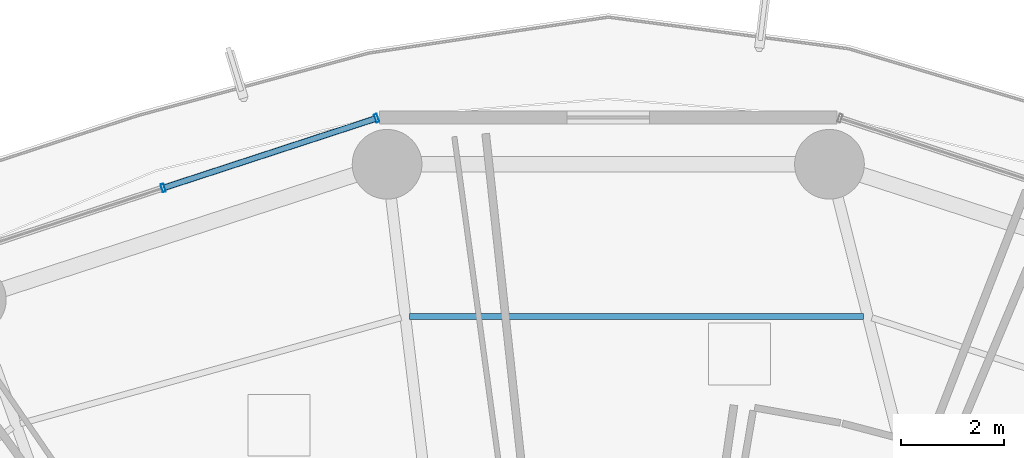
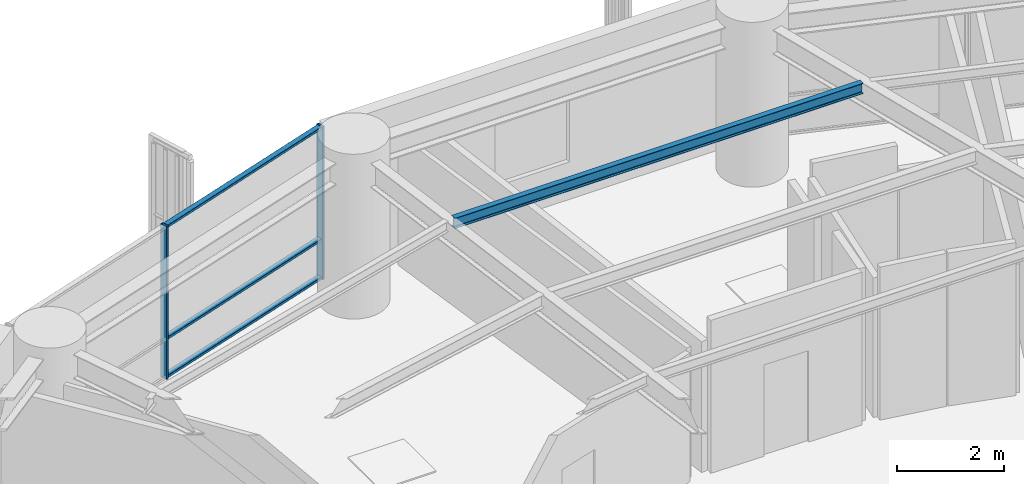
# One storey, part 22 of 37: 5 members, 1 beam, 1 element without a shape of its own.
"""IFC4 building model written with IfcOpenShell, lengths in metres."""

from ifc_helpers import new_model, si_unit, direction, frame, origin, origin_2d, place, context, subcontext, project, spatial, hollow_rectangle, i_section, extrude, material, layer, layer_set, material_profile, profile_set, type_object, element, aggregate, save


model = new_model("IFC4")

# Units and contexts
model_context = context("Model", 3, precision=1e-05, world=origin(), true_north=direction((0.0, 1.0)))
body_context = subcontext(model_context, "Body", "Model", "MODEL_VIEW")
ifc_project = project(units=[si_unit("LENGTHUNIT", "METRE"), si_unit("AREAUNIT", "SQUARE_METRE"), si_unit("VOLUMEUNIT", "CUBIC_METRE"), si_unit("PLANEANGLEUNIT", "RADIAN"), si_unit("MASSUNIT", "GRAM", prefix="KILO")], contexts=[model_context])

# Site, building, storey
site_placement = place(None, origin())
site = spatial("IfcSite", under=ifc_project, at=site_placement, CompositionType="ELEMENT")
building_placement = place(site_placement, origin())
building = spatial("IfcBuilding", under=site, at=building_placement, Name="Kelanora Arch Commons", CompositionType="ELEMENT")
storey_placement = place(building_placement, frame((0.0, 0.0, 113.85009765625)))
storey = spatial("IfcBuildingStorey", under=building, at=storey_placement, Name="L29", CompositionType="ELEMENT", Elevation=113.85009765625)

# Beam
ifc_material_1 = material(Name="Steel S355", Category="steel")
ifc_material_profile_1 = material_profile(ifc_material_1, i_section(OverallWidth=0.1201171875, OverallDepth=0.239990234375, WebThickness=0.006103515625, FlangeThickness=0.009765625, FilletRadius=0.014892578125, at=origin_2d()), Name="IPE240")
ifc_profile_set_1 = profile_set([ifc_material_profile_1], Name="Steel S355")
beam_type = type_object("IfcBeamType", Name="BM-JST-02", PredefinedType="JOIST", material=ifc_profile_set_1)
beam_placement = place(storey_placement, frame((78.943603515625, 76.795654296875, 3.369873046875), z_axis=(-1.0, 0.0, 0.0), x_axis=(0.0, -1.0, 0.0)))
element("IfcBeam", 1, at=beam_placement, inside=storey, type_object=beam_type, Name="Secondary Chord Joist BJC-08 L29", PredefinedType="JOIST", context=body_context, shape_type="SweptSolid", body=[
    extrude(i_section(OverallWidth=0.1201171875, OverallDepth=0.239990234375, WebThickness=0.006103515625, FlangeThickness=0.009765625, FilletRadius=0.014892578125, at=origin_2d()), origin(), (0.0, 0.0, 1.0), 8.791015625),
])

# Curtain wall, members
ifc_material_2 = material(Name="Terracotta ceramic-fritted low-E glass and aluminium", Category="masonry")
ifc_layer = layer(ifc_material_2, 0.159912109375)
ifc_layer_set = layer_set([ifc_layer], Name="Terracotta ceramic-fritted low-E glass and aluminium")
curtain_wall_type = type_object("IfcCurtainWallType", Name="CW-SYS-01", PredefinedType="NOTDEFINED", material=ifc_layer_set)
curtain_wall_placement = place(storey_placement, origin())
curtain_wall = element("IfcCurtainWall", 2, at=curtain_wall_placement, inside=storey, type_object=curtain_wall_type, Name="Unitised Curtain Wall L29-B05", PredefinedType="NOTDEFINED")
ifc_material_3 = material(Name="Powder-coated aluminium terracotta", Category="masonry")
ifc_material_profile_2 = material_profile(ifc_material_3, hollow_rectangle(XDim=0.159912109375, YDim=0.06005859375, WallThickness=0.0048828125, InnerFilletRadius=0.0048828125, OuterFilletRadius=0.010009765625, at=origin_2d()), Name="CWM160x60")
ifc_profile_set_2 = profile_set([ifc_material_profile_2], Name="Powder-coated aluminium terracotta")
member_type_1 = type_object("IfcMemberType", Name="CWM-STD", PredefinedType="MULLION", material=ifc_profile_set_2)
member_1_placement = place(storey_placement, frame((69.51171875, 80.636474609375, 0.0), z_axis=(0.0, 0.0, 1.0), x_axis=(0.31080470294, -0.950473795867, 0.0)))
member_1 = element("IfcMember", 3, at=member_1_placement, type_object=member_type_1, Name="CW-01 mullion 1", PredefinedType="MULLION", context=body_context, shape_type="SweptSolid", body=[
    extrude(hollow_rectangle(XDim=0.159912109375, YDim=0.06005859375, WallThickness=0.0048828125, InnerFilletRadius=0.0048828125, OuterFilletRadius=0.010009765625, at=origin_2d()), origin(), (0.0, 0.0, 1.0), 3.474853515625),
])
member_2_placement = place(storey_placement, frame((65.377197265625, 79.28466796875, 0.0), z_axis=(0.0, 0.0, 1.0), x_axis=(0.31080470294, -0.950473795867, 0.0)))
member_2 = element("IfcMember", 4, at=member_2_placement, type_object=member_type_1, Name="CW-01 mullion 2", PredefinedType="MULLION", context=body_context, shape_type="SweptSolid", body=[
    extrude(hollow_rectangle(XDim=0.159912109375, YDim=0.06005859375, WallThickness=0.0048828125, InnerFilletRadius=0.0048828125, OuterFilletRadius=0.010009765625, at=origin_2d()), origin(), (0.0, 0.0, 1.0), 3.474853515625),
])
ifc_material_profile_3 = material_profile(ifc_material_3, hollow_rectangle(XDim=0.1201171875, YDim=0.06005859375, WallThickness=0.0048828125, InnerFilletRadius=0.0048828125, OuterFilletRadius=0.010009765625, at=origin_2d()), Name="CWT120x60")
ifc_profile_set_3 = profile_set([ifc_material_profile_3], Name="Powder-coated aluminium terracotta")
member_type_2 = type_object("IfcMemberType", Name="CWT-STD", PredefinedType="USERDEFINED", material=ifc_profile_set_3)
member_3_placement = place(storey_placement, frame((69.483154296875, 80.627197265625, 0.02978515625), z_axis=(-0.950477544745, -0.31079323824, 0.0), x_axis=(0.31079323824, -0.950477544745, 0.0)))
member_3 = element("IfcMember", 5, at=member_3_placement, type_object=member_type_2, Name="CW-01 transom 1.1", ObjectType="TRANSOM", PredefinedType="USERDEFINED", context=body_context, shape_type="SweptSolid", body=[
    extrude(hollow_rectangle(XDim=0.1201171875, YDim=0.06005859375, WallThickness=0.0048828125, InnerFilletRadius=0.0048828125, OuterFilletRadius=0.010009765625, at=origin_2d()), origin(), (0.0, 0.0, 1.0), 4.289794921875),
])
member_4_placement = place(storey_placement, frame((69.483154296875, 80.627197265625, 0.89990234375), z_axis=(-0.950477544745, -0.31079323824, 0.0), x_axis=(0.31079323824, -0.950477544745, 0.0)))
member_4 = element("IfcMember", 6, at=member_4_placement, type_object=member_type_2, Name="CW-01 transom 1.2", ObjectType="TRANSOM", PredefinedType="USERDEFINED", context=body_context, shape_type="SweptSolid", body=[
    extrude(hollow_rectangle(XDim=0.1201171875, YDim=0.06005859375, WallThickness=0.0048828125, InnerFilletRadius=0.0048828125, OuterFilletRadius=0.010009765625, at=origin_2d()), origin(), (0.0, 0.0, 1.0), 4.289794921875),
])
member_5_placement = place(storey_placement, frame((69.483154296875, 80.627197265625, 3.44482421875), z_axis=(-0.950477544745, -0.31079323824, 0.0), x_axis=(0.31079323824, -0.950477544745, 0.0)))
member_5 = element("IfcMember", 7, at=member_5_placement, type_object=member_type_2, Name="CW-01 transom 1.3", ObjectType="TRANSOM", PredefinedType="USERDEFINED", context=body_context, shape_type="SweptSolid", body=[
    extrude(hollow_rectangle(XDim=0.1201171875, YDim=0.06005859375, WallThickness=0.0048828125, InnerFilletRadius=0.0048828125, OuterFilletRadius=0.010009765625, at=origin_2d()), origin(), (0.0, 0.0, 1.0), 4.289794921875),
])
aggregate(curtain_wall, [member_1, member_2, member_3, member_4, member_5])

save(model, "model.ifc")
